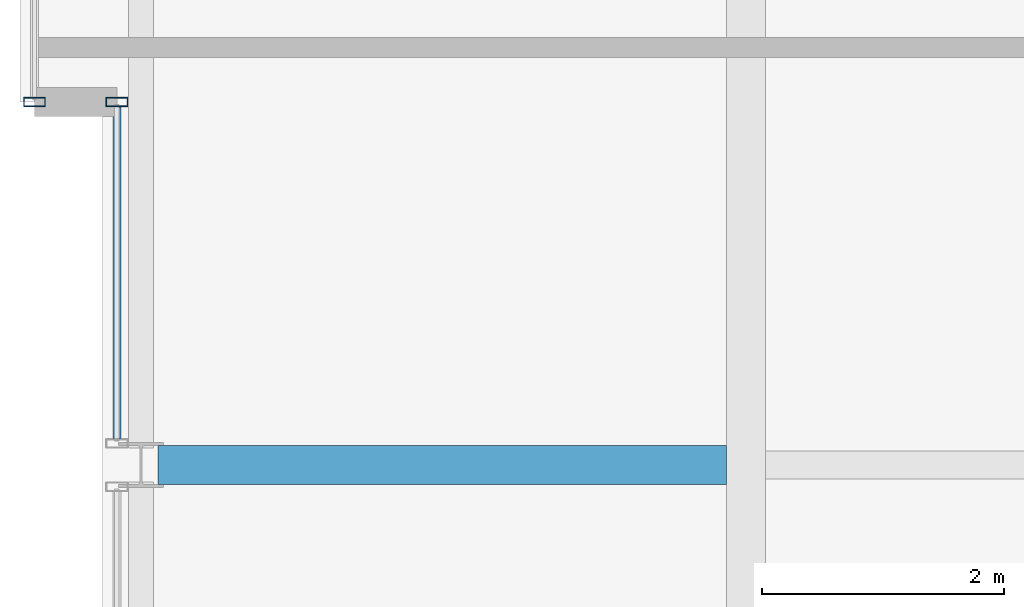
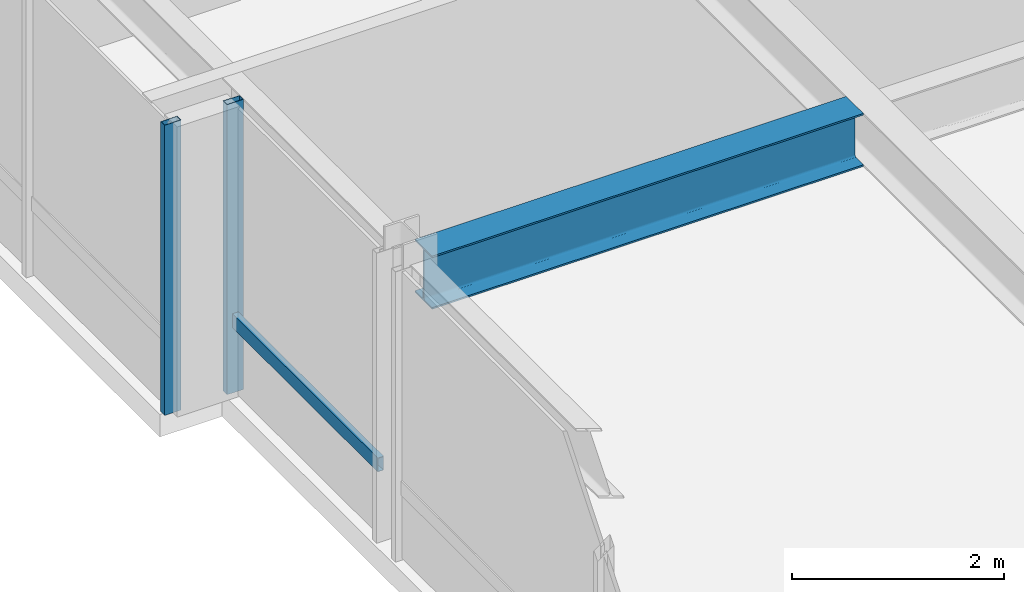
# One storey, part 11 of 32: 3 members, 1 beam, 2 elements without a shape of their own.
"""IFC4 building model written with IfcOpenShell, lengths in metres."""

from ifc_helpers import new_model, si_unit, direction, frame, origin, origin_2d, place, context, subcontext, project, spatial, hollow_rectangle, i_section, extrude, material, layer, layer_set, material_profile, profile_set, type_object, element, aggregate, save


model = new_model("IFC4")

# Units and contexts
model_context = context("Model", 3, precision=1e-05, world=origin(), true_north=direction((0.0, 1.0)))
body_context = subcontext(model_context, "Body", "Model", "MODEL_VIEW")
ifc_project = project(units=[si_unit("LENGTHUNIT", "METRE"), si_unit("AREAUNIT", "SQUARE_METRE"), si_unit("VOLUMEUNIT", "CUBIC_METRE"), si_unit("PLANEANGLEUNIT", "RADIAN"), si_unit("MASSUNIT", "GRAM", prefix="KILO")], contexts=[model_context])

# Site, building, storey
site_placement = place(None, origin())
site = spatial("IfcSite", under=ifc_project, at=site_placement, CompositionType="ELEMENT")
building_placement = place(site_placement, origin())
building = spatial("IfcBuilding", under=site, at=building_placement, Name="Drelvath Grand Hotel", CompositionType="ELEMENT")
storey_placement = place(building_placement, frame((0.0, 0.0, 237.5)))
storey = spatial("IfcBuildingStorey", under=building, at=storey_placement, Name="L62", CompositionType="ELEMENT", Elevation=237.5)

# Curtain wall, members
ifc_material_1 = material(Name="Platinum-Mist Anodised Aluminium Frame", Category="aluminium")
ifc_layer = layer(ifc_material_1, 0.199951171875)
ifc_layer_set = layer_set([ifc_layer], Name="Platinum-Mist Anodised Aluminium Frame")
curtain_wall_type = type_object("IfcCurtainWallType", Name="Stick Curtain Wall CW-05 Platinum Mist High-Rise", PredefinedType="NOTDEFINED", material=ifc_layer_set)
curtain_wall_1_placement = place(storey_placement, origin())
curtain_wall_1 = element("IfcCurtainWall", 1, at=curtain_wall_1_placement, inside=storey, type_object=curtain_wall_type, Name="L62 CW-05 Curtain Wall CW05-L62-WM2", PredefinedType="NOTDEFINED")
ifc_material_profile_1 = material_profile(ifc_material_1, hollow_rectangle(XDim=0.06494140625, YDim=0.159912109375, WallThickness=0.00390625, at=origin_2d()), Name="HSS160X65X4")
ifc_profile_set_1 = profile_set([ifc_material_profile_1], Name="Platinum-Mist Anodised Aluminium Frame")
member_type_1 = type_object("IfcMemberType", Name="Curtain Wall Horizontal Transom CW-05 HSS160X65X4", PredefinedType="USERDEFINED", material=ifc_profile_set_1)
member_1_placement = place(storey_placement, frame((-21.39990234375, 27.21826171875, 0.8349609375), z_axis=(0.0, 1.0, 0.0), x_axis=(-1.0, 0.0, 0.0)))
member_1 = element("IfcMember", 2, at=member_1_placement, type_object=member_type_1, Name="CW05-L62-WM2 Sill Transom", ObjectType="TRANSOM", PredefinedType="USERDEFINED", context=body_context, shape_type="SweptSolid", body=[
    extrude(hollow_rectangle(XDim=0.06494140625, YDim=0.159912109375, WallThickness=0.00390625, at=origin_2d()), origin(), (0.0, 0.0, 1.0), 2.74169921875),
])
ifc_material_profile_2 = material_profile(ifc_material_1, hollow_rectangle(XDim=0.074951171875, YDim=0.179931640625, WallThickness=0.0048828125, at=origin_2d()), Name="HSS180X75X5")
ifc_profile_set_2 = profile_set([ifc_material_profile_2], Name="Platinum-Mist Anodised Aluminium Frame")
member_type_2 = type_object("IfcMemberType", Name="Curtain Wall Vertical Mullion CW-05 HSS180X75X5", PredefinedType="MULLION", material=ifc_profile_set_2)
member_2_placement = place(storey_placement, frame((-21.39990234375, 30.0, 0.0), z_axis=(0.0, 0.0, 1.0), x_axis=(0.0, 1.0, 0.0)))
member_2 = element("IfcMember", 3, at=member_2_placement, type_object=member_type_2, Name="CW05-L62-WM2 Mullion 2", PredefinedType="MULLION", context=body_context, shape_type="SweptSolid", body=[
    extrude(hollow_rectangle(XDim=0.074951171875, YDim=0.179931640625, WallThickness=0.0048828125, at=origin_2d()), origin(), (0.0, 0.0, 1.0), 3.340087890625),
])
aggregate(curtain_wall_1, [member_2, member_1])

# Curtain wall, member
curtain_wall_2_placement = place(storey_placement, origin())
curtain_wall_2 = element("IfcCurtainWall", 4, at=curtain_wall_2_placement, inside=storey, type_object=curtain_wall_type, Name="L62 CW-05 Curtain Wall CW05-L62-WN1", PredefinedType="NOTDEFINED")
member_3_placement = place(storey_placement, frame((-22.080078125, 30.0, 0.0), z_axis=(0.0, 0.0, 1.0), x_axis=(0.0, 1.0, 0.0)))
member_3 = element("IfcMember", 5, at=member_3_placement, type_object=member_type_2, Name="CW05-L62-WN1 Mullion 1", PredefinedType="MULLION", context=body_context, shape_type="SweptSolid", body=[
    extrude(hollow_rectangle(XDim=0.074951171875, YDim=0.179931640625, WallThickness=0.0048828125, at=origin_2d()), origin(), (0.0, 0.0, 1.0), 3.340087890625),
])
aggregate(curtain_wall_2, [member_3])

# Beam
ifc_material_2 = material(Name="Steel ASTM A992 Gr 50", Category="steel")
ifc_material_profile_3 = material_profile(ifc_material_2, i_section(OverallWidth=0.323974609375, OverallDepth=0.611083984375, WebThickness=0.0126953125, FlangeThickness=0.01904296875, FilletRadius=0.02197265625, at=origin_2d()), Name="W24X104")
ifc_profile_set_3 = profile_set([ifc_material_profile_3], Name="Steel ASTM A992 Gr 50")
beam_type = type_object("IfcBeamType", Name="Primary Floor Girder W24X104", PredefinedType="BEAM", material=ifc_profile_set_3)
beam_placement = place(storey_placement, frame((-21.06005859375, 27.0, 3.034423828125), z_axis=(1.0, 0.0, 0.0), x_axis=(0.0, 1.0, 0.0)))
element("IfcBeam", 6, at=beam_placement, inside=storey, type_object=beam_type, Name="L62 West Wing Girder E", PredefinedType="BEAM", context=body_context, shape_type="SweptSolid", body=[
    extrude(i_section(OverallWidth=0.323974609375, OverallDepth=0.611083984375, WebThickness=0.0126953125, FlangeThickness=0.01904296875, FilletRadius=0.02197265625, at=origin_2d()), origin(), (0.0, 0.0, 1.0), 4.697998046875),
])

save(model, "model.ifc")
